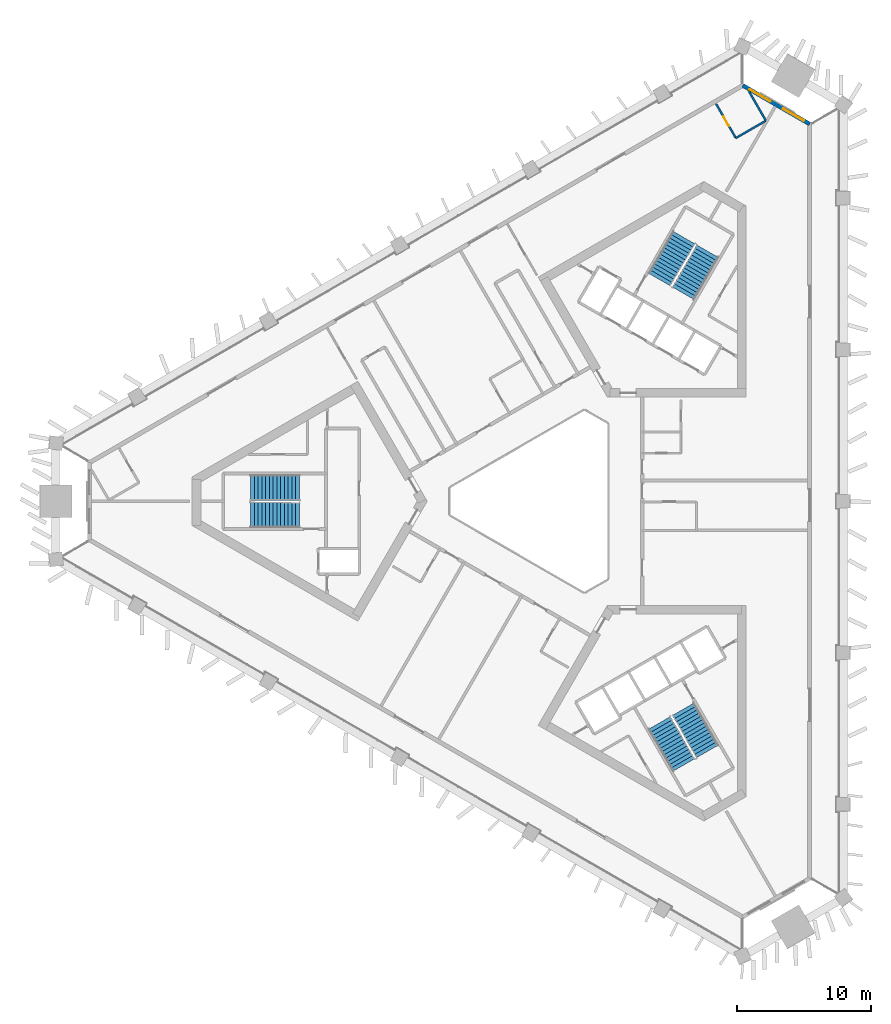
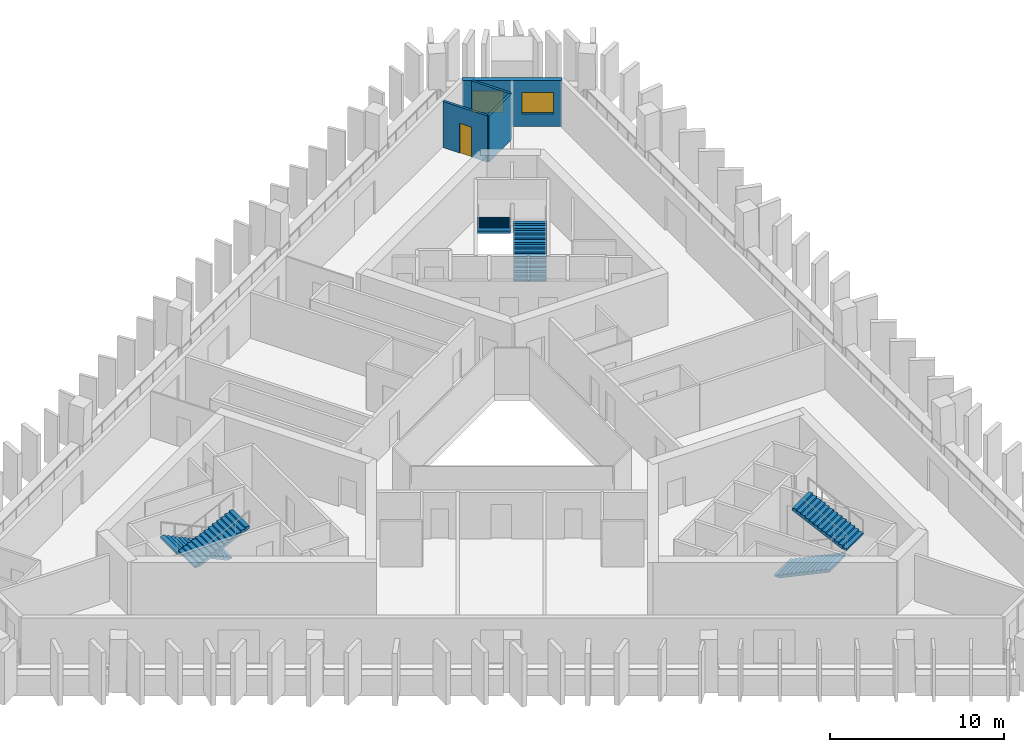
# One storey, part 6 of 10: 6 stair flights, 4 walls, 2 windows, 1 door, 3 openings, 3 elements without a shape of their own.
"""IFC4 building model written with IfcOpenShell, lengths in metres."""

from ifc_helpers import new_model, si_unit, direction, frame, frame_2d, origin, place, context, subcontext, project, spatial, polyline, rectangle, outline, extrude, material, layer, layer_set, type_object, element, fill, aggregate, save


model = new_model("IFC4")

# Units and contexts
model_context = context("Model", 3, precision=1e-05, world=origin(), true_north=direction((0.0, 1.0)))
body_context = subcontext(model_context, "Body", "Model", "MODEL_VIEW")
ifc_project = project(units=[si_unit("LENGTHUNIT", "METRE"), si_unit("AREAUNIT", "SQUARE_METRE"), si_unit("VOLUMEUNIT", "CUBIC_METRE"), si_unit("PLANEANGLEUNIT", "RADIAN"), si_unit("MASSUNIT", "GRAM", prefix="KILO")], contexts=[model_context])

# Site, building, storey
site_placement = place(None, origin())
site = spatial("IfcSite", under=ifc_project, at=site_placement, CompositionType="ELEMENT")
building_placement = place(site_placement, origin())
building = spatial("IfcBuilding", under=site, at=building_placement, Name="Jabali Bay Hotel Tower and Convention Centre", CompositionType="ELEMENT")
storey_placement = place(building_placement, frame((0.0, 0.0, 121.60009765625)))
storey = spatial("IfcBuildingStorey", under=building, at=storey_placement, Name="L29", CompositionType="ELEMENT", Elevation=121.60009765625)

# Wall, openings, windows
ifc_material_1 = material(Name="Concrete C40", Category="concrete")
ifc_layer_1 = layer(ifc_material_1, 0.300048828125)
ifc_layer_set_1 = layer_set([ifc_layer_1], Name="Concrete C40")
wall_type_1 = type_object("IfcWallType", Name="External wall 300", PredefinedType="SOLIDWALL", material=ifc_layer_set_1)
wall_1_placement = place(storey_placement, frame((89.643310546875, 111.14501953125, 0.0), z_axis=(0.0, 0.0, 1.0), x_axis=(0.866033704959, -0.499985621668, 0.0)))
wall_1 = element("IfcWall", 1, at=wall_1_placement, inside=storey, type_object=wall_type_1, Name="External wall north-east chamfer L29", PredefinedType="SOLIDWALL", context=body_context, shape_type="SweptSolid", body=[
    extrude(rectangle(XDim=5.781982421875, YDim=0.300048828125, at=frame_2d((2.89111328125, 0.0))), origin(), (0.0, 0.0, 1.0), 3.25),
])
opening_1_placement = place(wall_1_placement, frame((0.59033203125, 0.0, 0.89990234375)))
opening_1 = element("IfcOpeningElement", 2, at=opening_1_placement, cuts=wall_1, Name="Opening W1", PredefinedType="OPENING", context=body_context, shape_type="SweptSolid", body=[
    extrude(rectangle(XDim=1.800048828125, YDim=1.5, at=frame_2d((0.89990234375, 0.75))), frame((0.0, 0.16064453125, 0.0), z_axis=(0.0, -1.0, 0.0), x_axis=(1.0, 0.0, 0.0)), (0.0, 0.0, 1.0), 0.321044921875),
])
opening_2_placement = place(wall_1_placement, frame((3.479248046875, 0.0, 0.89990234375)))
opening_2 = element("IfcOpeningElement", 3, at=opening_2_placement, cuts=wall_1, Name="Opening W1", PredefinedType="OPENING", context=body_context, shape_type="SweptSolid", body=[
    extrude(rectangle(XDim=1.800048828125, YDim=1.5, at=frame_2d((0.89990234375, 0.75))), frame((0.0, 0.16064453125, 0.0), z_axis=(0.0, -1.0, 0.0), x_axis=(1.0, 0.0, 0.0)), (0.0, 0.0, 1.0), 0.321044921875),
])
ifc_material_2 = material(Name="Glass", Category="glass")
window_type = type_object("IfcWindowType", Name="Window 1800 x 1500", PartitioningType="SINGLE_PANEL", PredefinedType="WINDOW", material=ifc_material_2)
window_1_placement = place(opening_1_placement, origin())
window_1 = element("IfcWindow", 4, at=window_1_placement, inside=storey, type_object=window_type, Name="Window 2904", OverallHeight=1.5, OverallWidth=1.800048828125, PartitioningType="SINGLE_PANEL", PredefinedType="WINDOW", context=body_context, shape_type="SweptSolid", body=[
    extrude(rectangle(XDim=1.800048828125, YDim=1.5, at=frame_2d((0.89990234375, 0.75))), frame((0.0, 0.030029296875, 0.0), z_axis=(0.0, -1.0, 0.0), x_axis=(1.0, 0.0, 0.0)), (0.0, 0.0, 1.0), 0.06005859375),
])
fill(opening_1, window_1)
window_2_placement = place(opening_2_placement, origin())
window_2 = element("IfcWindow", 5, at=window_2_placement, inside=storey, type_object=window_type, Name="Window 2903", OverallHeight=1.5, OverallWidth=1.800048828125, PartitioningType="SINGLE_PANEL", PredefinedType="WINDOW", context=body_context, shape_type="SweptSolid", body=[
    extrude(rectangle(XDim=1.800048828125, YDim=1.5, at=frame_2d((0.89990234375, 0.75))), frame((0.0, 0.030029296875, 0.0), z_axis=(0.0, -1.0, 0.0), x_axis=(1.0, 0.0, 0.0)), (0.0, 0.0, 1.0), 0.06005859375),
])
fill(opening_2, window_2)

# Walls
ifc_material_3 = material(Name="Plasterboard on steel stud", Category="steel")
ifc_layer_2 = layer(ifc_material_3, 0.14990234375)
ifc_layer_set_2 = layer_set([ifc_layer_2], Name="Plasterboard on steel stud")
wall_type_2 = type_object("IfcWallType", Name="Partition 150 wet", PredefinedType="PARTITIONING", material=ifc_layer_set_2)
wall_2_placement = place(storey_placement, frame((90.09619140625, 110.711669921875, 0.0), z_axis=(0.0, 0.0, 1.0), x_axis=(0.499963028251, -0.866046748381, 0.0)))
element("IfcWall", 6, at=wall_2_placement, inside=storey, type_object=wall_type_2, Name="Partition P03 L29 018", PredefinedType="PARTITIONING", context=body_context, shape_type="SweptSolid", body=[
    extrude(rectangle(XDim=2.547607421875, YDim=0.14990234375, at=frame_2d((1.27392578125, 0.0))), origin(), (0.0, 0.0, 1.0), 3.25),
])
wall_3_placement = place(storey_placement, frame((91.369873046875, 108.50537109375, 0.0), z_axis=(0.0, 0.0, 1.0), x_axis=(-0.866062058628, -0.499936506574, 0.0)))
element("IfcWall", 7, at=wall_3_placement, inside=storey, type_object=wall_type_2, Name="Partition P03 L29 019", PredefinedType="PARTITIONING", context=body_context, shape_type="SweptSolid", body=[
    extrude(rectangle(XDim=2.599853515625, YDim=0.14990234375, at=frame_2d((1.2998046875, 0.0))), origin(), (0.0, 0.0, 1.0), 3.25),
])

# Wall, opening, door
wall_4_placement = place(storey_placement, frame((89.1181640625, 107.20556640625, 0.0), z_axis=(0.0, 0.0, 1.0), x_axis=(-0.500008142102, 0.866020702889, 0.0)))
wall_4 = element("IfcWall", 8, at=wall_4_placement, inside=storey, type_object=wall_type_2, Name="Partition P03 L29 020", PredefinedType="PARTITIONING", context=body_context, shape_type="SweptSolid", body=[
    extrude(rectangle(XDim=2.958984375, YDim=0.14990234375, at=frame_2d((1.4794921875, 0.0))), origin(), (0.0, 0.0, 1.0), 3.25),
])
opening_3_placement = place(wall_4_placement, frame((1.050048828125, 0.0, 0.0)))
opening_3 = element("IfcOpeningElement", 9, at=opening_3_placement, cuts=wall_4, Name="Opening 2909", PredefinedType="OPENING", context=body_context, shape_type="SweptSolid", body=[
    extrude(rectangle(XDim=0.800048828125, YDim=2.10009765625, at=frame_2d((0.39990234375, 1.050048828125))), frame((0.0, 0.08544921875, 0.0), z_axis=(0.0, -1.0, 0.0), x_axis=(1.0, 0.0, 0.0)), (0.0, 0.0, 1.0), 0.1708984375),
])
ifc_material_4 = material(Name="Timber", Category="wood")
door_type = type_object("IfcDoorType", Name="En-suite door 800 x 2100", OperationType="NOTDEFINED", PredefinedType="NOTDEFINED", material=ifc_material_4)
door_placement = place(opening_3_placement, origin())
door = element("IfcDoor", 10, at=door_placement, inside=storey, type_object=door_type, Name="Door 2909", OperationType="SINGLE_SWING_RIGHT", OverallHeight=2.10009765625, OverallWidth=0.800048828125, PredefinedType="NOTDEFINED", context=body_context, shape_type="SweptSolid", body=[
    extrude(rectangle(XDim=0.800048828125, YDim=2.10009765625, at=frame_2d((0.39990234375, 1.050048828125))), frame((0.0, 0.02490234375, 0.0), z_axis=(0.0, -1.0, 0.0), x_axis=(1.0, 0.0, 0.0)), (0.0, 0.0, 1.0), 0.050048828125),
])
fill(opening_3, door)

# Stair, stair flights
stair_type = type_object("IfcStairType", Name="Exit stair 1900", PredefinedType="HALF_TURN_STAIR", material=ifc_material_1)
stair_1_placement = place(storey_placement, origin())
stair_1 = element("IfcStair", 11, at=stair_1_placement, inside=storey, type_object=stair_type, Name="L29 Exit Stair 1", PredefinedType="HALF_TURN_STAIR")
stair_flight_type = type_object("IfcStairFlightType", Name="Stair flight concrete 150", PredefinedType="STRAIGHT", material=ifc_material_1)
stair_flight_1_placement = place(storey_placement, frame((56.419921875, 81.02490234375, 0.0), z_axis=(0.0, 0.0, 1.0), x_axis=(-1.0, 0.0, 0.0)))
stair_flight_1 = element("IfcStairFlight", 12, at=stair_flight_1_placement, type_object=stair_flight_type, Name="ST1 flight 1", NumberOfRisers=14, NumberOfTreads=13, PredefinedType="STRAIGHT", RiserHeight=0.132142857, TreadLength=0.28, context=body_context, shape_type="SweptSolid", body=[
    extrude(outline(polyline([(0.0, 0.0), (0.0, 0.132080078125), (0.280029296875, 0.132080078125), (0.280029296875, 0.264404296875), (0.56005859375, 0.264404296875), (0.56005859375, 0.396484375), (0.840087890625, 0.396484375), (0.840087890625, 0.528564453125), (1.1201171875, 0.528564453125), (1.1201171875, 0.66064453125), (1.39990234375, 0.66064453125), (1.39990234375, 0.79296875), (1.679931640625, 0.79296875), (1.679931640625, 0.925048828125), (1.9599609375, 0.925048828125), (1.9599609375, 1.05712890625), (2.239990234375, 1.05712890625), (2.239990234375, 1.189208984375), (2.52001953125, 1.189208984375), (2.52001953125, 1.321533203125), (2.800048828125, 1.321533203125), (2.800048828125, 1.45361328125), (3.080078125, 1.45361328125), (3.080078125, 1.585693359375), (3.360107421875, 1.585693359375), (3.360107421875, 1.7177734375), (3.639892578125, 1.7177734375), (3.639892578125, 1.85009765625), (3.639892578125, 1.552001953125), (0.351318359375, 0.0), (0.0, 0.0)])), frame((0.0, 0.949951171875, 0.0), z_axis=(0.0, -1.0, 0.0), x_axis=(1.0, 0.0, 0.0)), (0.0, 0.0, 1.0), 1.89990234375),
])
stair_flight_2_placement = place(storey_placement, frame((52.780029296875, 78.97509765625, 1.849853515625), z_axis=(0.0, 0.0, 1.0), x_axis=(1.0, 0.0, 0.0)))
stair_flight_2 = element("IfcStairFlight", 13, at=stair_flight_2_placement, type_object=stair_flight_type, Name="ST1 flight 2", NumberOfRisers=14, NumberOfTreads=13, PredefinedType="STRAIGHT", RiserHeight=0.132142857, TreadLength=0.28, context=body_context, shape_type="SweptSolid", body=[
    extrude(outline(polyline([(0.0, 0.0), (0.0, 0.132080078125), (0.280029296875, 0.132080078125), (0.280029296875, 0.264404296875), (0.56005859375, 0.264404296875), (0.56005859375, 0.396484375), (0.840087890625, 0.396484375), (0.840087890625, 0.528564453125), (1.1201171875, 0.528564453125), (1.1201171875, 0.66064453125), (1.39990234375, 0.66064453125), (1.39990234375, 0.79296875), (1.679931640625, 0.79296875), (1.679931640625, 0.925048828125), (1.9599609375, 0.925048828125), (1.9599609375, 1.05712890625), (2.239990234375, 1.05712890625), (2.239990234375, 1.189208984375), (2.52001953125, 1.189208984375), (2.52001953125, 1.321533203125), (2.800048828125, 1.321533203125), (2.800048828125, 1.45361328125), (3.080078125, 1.45361328125), (3.080078125, 1.585693359375), (3.360107421875, 1.585693359375), (3.360107421875, 1.7177734375), (3.639892578125, 1.7177734375), (3.639892578125, 1.85009765625), (3.639892578125, 1.552001953125), (0.351318359375, 0.0), (0.0, 0.0)])), frame((0.0, 0.949951171875, 0.0), z_axis=(0.0, -1.0, 0.0), x_axis=(1.0, 0.0, 0.0)), (0.0, 0.0, 1.0), 1.89990234375),
])
aggregate(stair_1, [stair_flight_1, stair_flight_2])

stair_2_placement = place(storey_placement, origin())
stair_2 = element("IfcStair", 14, at=stair_2_placement, inside=storey, type_object=stair_type, Name="L29 Exit Stair 2", PredefinedType="HALF_TURN_STAIR")
stair_flight_3_placement = place(storey_placement, frame((85.177734375, 95.578369140625, 0.0), z_axis=(0.0, 0.0, 1.0), x_axis=(0.5, 0.866025403784, 0.0)))
stair_flight_3 = element("IfcStairFlight", 15, at=stair_flight_3_placement, type_object=stair_flight_type, Name="ST2 flight 1", NumberOfRisers=14, NumberOfTreads=13, PredefinedType="STRAIGHT", RiserHeight=0.132142857, TreadLength=0.28, context=body_context, shape_type="SweptSolid", body=[
    extrude(outline(polyline([(0.0, 0.0), (0.0, 0.132080078125), (0.280029296875, 0.132080078125), (0.280029296875, 0.264404296875), (0.56005859375, 0.264404296875), (0.56005859375, 0.396484375), (0.840087890625, 0.396484375), (0.840087890625, 0.528564453125), (1.1201171875, 0.528564453125), (1.1201171875, 0.66064453125), (1.39990234375, 0.66064453125), (1.39990234375, 0.79296875), (1.679931640625, 0.79296875), (1.679931640625, 0.925048828125), (1.9599609375, 0.925048828125), (1.9599609375, 1.05712890625), (2.239990234375, 1.05712890625), (2.239990234375, 1.189208984375), (2.52001953125, 1.189208984375), (2.52001953125, 1.321533203125), (2.800048828125, 1.321533203125), (2.800048828125, 1.45361328125), (3.080078125, 1.45361328125), (3.080078125, 1.585693359375), (3.360107421875, 1.585693359375), (3.360107421875, 1.7177734375), (3.639892578125, 1.7177734375), (3.639892578125, 1.85009765625), (3.639892578125, 1.552001953125), (0.351318359375, 0.0), (0.0, 0.0)])), frame((0.0, 0.949951171875, 0.0), z_axis=(0.0, -1.0, 0.0), x_axis=(1.0, 0.0, 0.0)), (0.0, 0.0, 1.0), 1.89990234375),
])
stair_flight_4_placement = place(storey_placement, frame((85.222412109375, 99.755615234375, 1.849853515625), z_axis=(0.0, 0.0, 1.0), x_axis=(-0.5, -0.866025403784, 0.0)))
stair_flight_4 = element("IfcStairFlight", 16, at=stair_flight_4_placement, type_object=stair_flight_type, Name="ST2 flight 2", NumberOfRisers=14, NumberOfTreads=13, PredefinedType="STRAIGHT", RiserHeight=0.132142857, TreadLength=0.28, context=body_context, shape_type="SweptSolid", body=[
    extrude(outline(polyline([(0.0, 0.0), (0.0, 0.132080078125), (0.280029296875, 0.132080078125), (0.280029296875, 0.264404296875), (0.56005859375, 0.264404296875), (0.56005859375, 0.396484375), (0.840087890625, 0.396484375), (0.840087890625, 0.528564453125), (1.1201171875, 0.528564453125), (1.1201171875, 0.66064453125), (1.39990234375, 0.66064453125), (1.39990234375, 0.79296875), (1.679931640625, 0.79296875), (1.679931640625, 0.925048828125), (1.9599609375, 0.925048828125), (1.9599609375, 1.05712890625), (2.239990234375, 1.05712890625), (2.239990234375, 1.189208984375), (2.52001953125, 1.189208984375), (2.52001953125, 1.321533203125), (2.800048828125, 1.321533203125), (2.800048828125, 1.45361328125), (3.080078125, 1.45361328125), (3.080078125, 1.585693359375), (3.360107421875, 1.585693359375), (3.360107421875, 1.7177734375), (3.639892578125, 1.7177734375), (3.639892578125, 1.85009765625), (3.639892578125, 1.552001953125), (0.351318359375, 0.0), (0.0, 0.0)])), frame((0.0, 0.949951171875, 0.0), z_axis=(0.0, -1.0, 0.0), x_axis=(1.0, 0.0, 0.0)), (0.0, 0.0, 1.0), 1.89990234375),
])
aggregate(stair_2, [stair_flight_3, stair_flight_4])

stair_3_placement = place(storey_placement, origin())
stair_3 = element("IfcStair", 17, at=stair_3_placement, inside=storey, type_object=stair_type, Name="L29 Exit Stair 3", PredefinedType="HALF_TURN_STAIR")
stair_flight_5_placement = place(storey_placement, frame((83.40234375, 63.396728515625, 0.0), z_axis=(0.0, 0.0, 1.0), x_axis=(0.5, -0.866025403784, 0.0)))
stair_flight_5 = element("IfcStairFlight", 18, at=stair_flight_5_placement, type_object=stair_flight_type, Name="ST3 flight 1", NumberOfRisers=14, NumberOfTreads=13, PredefinedType="STRAIGHT", RiserHeight=0.132142857, TreadLength=0.28, context=body_context, shape_type="SweptSolid", body=[
    extrude(outline(polyline([(0.0, 0.0), (0.0, 0.132080078125), (0.280029296875, 0.132080078125), (0.280029296875, 0.264404296875), (0.56005859375, 0.264404296875), (0.56005859375, 0.396484375), (0.840087890625, 0.396484375), (0.840087890625, 0.528564453125), (1.1201171875, 0.528564453125), (1.1201171875, 0.66064453125), (1.39990234375, 0.66064453125), (1.39990234375, 0.79296875), (1.679931640625, 0.79296875), (1.679931640625, 0.925048828125), (1.9599609375, 0.925048828125), (1.9599609375, 1.05712890625), (2.239990234375, 1.05712890625), (2.239990234375, 1.189208984375), (2.52001953125, 1.189208984375), (2.52001953125, 1.321533203125), (2.800048828125, 1.321533203125), (2.800048828125, 1.45361328125), (3.080078125, 1.45361328125), (3.080078125, 1.585693359375), (3.360107421875, 1.585693359375), (3.360107421875, 1.7177734375), (3.639892578125, 1.7177734375), (3.639892578125, 1.85009765625), (3.639892578125, 1.552001953125), (0.351318359375, 0.0), (0.0, 0.0)])), frame((0.0, 0.949951171875, 0.0), z_axis=(0.0, -1.0, 0.0), x_axis=(1.0, 0.0, 0.0)), (0.0, 0.0, 1.0), 1.89990234375),
])
stair_flight_6_placement = place(storey_placement, frame((86.99755859375, 61.26953125, 1.849853515625), z_axis=(0.0, 0.0, 1.0), x_axis=(-0.5, 0.866025403784, 0.0)))
stair_flight_6 = element("IfcStairFlight", 19, at=stair_flight_6_placement, type_object=stair_flight_type, Name="ST3 flight 2", NumberOfRisers=14, NumberOfTreads=13, PredefinedType="STRAIGHT", RiserHeight=0.132142857, TreadLength=0.28, context=body_context, shape_type="SweptSolid", body=[
    extrude(outline(polyline([(0.0, 0.0), (0.0, 0.132080078125), (0.280029296875, 0.132080078125), (0.280029296875, 0.264404296875), (0.56005859375, 0.264404296875), (0.56005859375, 0.396484375), (0.840087890625, 0.396484375), (0.840087890625, 0.528564453125), (1.1201171875, 0.528564453125), (1.1201171875, 0.66064453125), (1.39990234375, 0.66064453125), (1.39990234375, 0.79296875), (1.679931640625, 0.79296875), (1.679931640625, 0.925048828125), (1.9599609375, 0.925048828125), (1.9599609375, 1.05712890625), (2.239990234375, 1.05712890625), (2.239990234375, 1.189208984375), (2.52001953125, 1.189208984375), (2.52001953125, 1.321533203125), (2.800048828125, 1.321533203125), (2.800048828125, 1.45361328125), (3.080078125, 1.45361328125), (3.080078125, 1.585693359375), (3.360107421875, 1.585693359375), (3.360107421875, 1.7177734375), (3.639892578125, 1.7177734375), (3.639892578125, 1.85009765625), (3.639892578125, 1.552001953125), (0.351318359375, 0.0), (0.0, 0.0)])), frame((0.0, 0.949951171875, 0.0), z_axis=(0.0, -1.0, 0.0), x_axis=(1.0, 0.0, 0.0)), (0.0, 0.0, 1.0), 1.89990234375),
])
aggregate(stair_3, [stair_flight_5, stair_flight_6])

save(model, "model.ifc")
